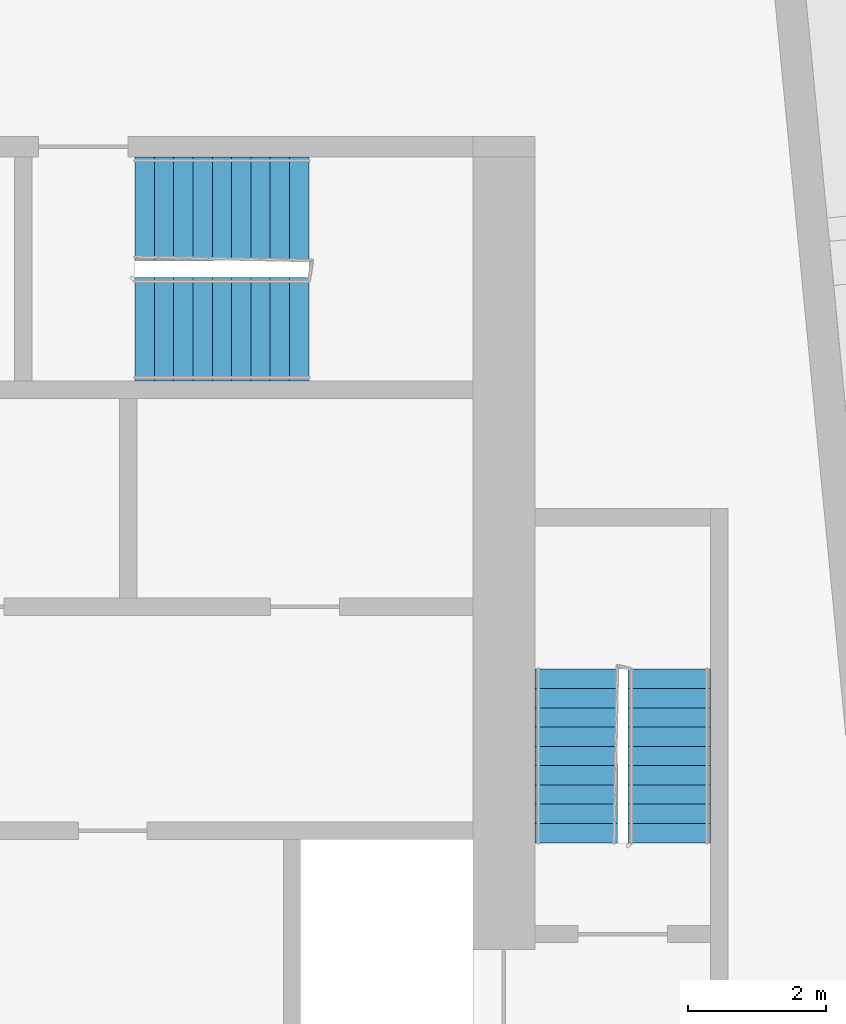
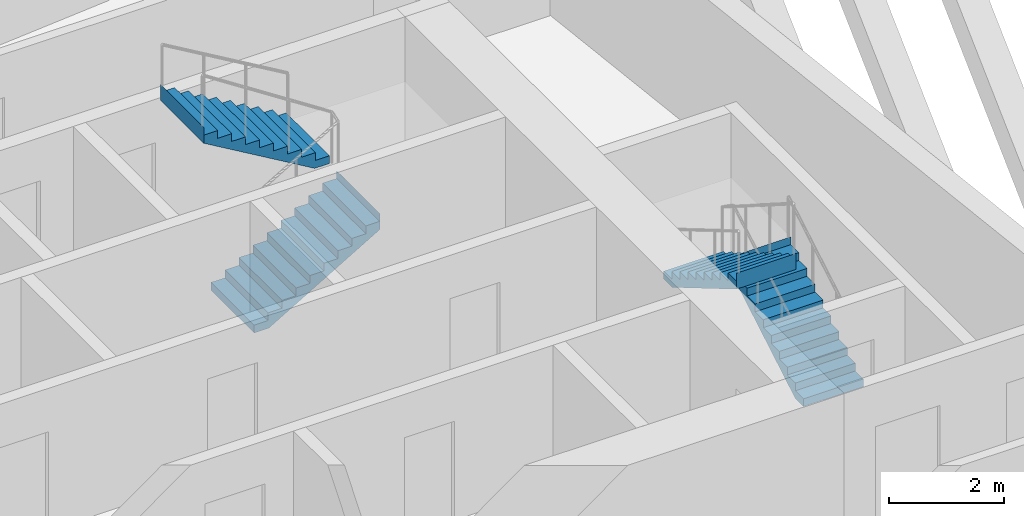
# One storey, part 10 of 12: 4 stair flights, 2 elements without a shape of their own.
"""IFC4 building model written with IfcOpenShell, lengths in metres."""

from ifc_helpers import new_model, si_unit, direction, frame, origin, place, context, subcontext, project, spatial, faceted_brep, material, type_object, element, aggregate, save


model = new_model("IFC4")

# Units and contexts
model_context = context("Model", 3, precision=1e-05, world=origin(), true_north=direction((0.0, 1.0)))
body_context = subcontext(model_context, "Body", "Model", "MODEL_VIEW")
ifc_project = project(units=[si_unit("LENGTHUNIT", "METRE"), si_unit("AREAUNIT", "SQUARE_METRE"), si_unit("VOLUMEUNIT", "CUBIC_METRE"), si_unit("PLANEANGLEUNIT", "RADIAN"), si_unit("MASSUNIT", "GRAM", prefix="KILO")], contexts=[model_context])

# Site, building, storey
site_placement = place(None, origin())
site = spatial("IfcSite", under=ifc_project, at=site_placement, CompositionType="ELEMENT")
building_placement = place(site_placement, origin())
building = spatial("IfcBuilding", under=site, at=building_placement, Name="Kajstack Hotel Tower", CompositionType="ELEMENT")
storey_placement = place(building_placement, frame((0.0, 0.0, 268.5)))
storey = spatial("IfcBuildingStorey", under=building, at=storey_placement, Name="L66", CompositionType="ELEMENT", Elevation=268.5)

# Stair, stair flights
ifc_material = material(Name="Concrete C40/50", Category="concrete")
stair_type_1 = type_object("IfcStairType", Name="Exit stair 1200", PredefinedType="HALF_TURN_STAIR", material=ifc_material)
stair_1_placement = place(storey_placement, origin())
stair_1 = element("IfcStair", 1, at=stair_1_placement, inside=storey, type_object=stair_type_1, Name="L66 stair E1", PredefinedType="HALF_TURN_STAIR")
stair_flight_type_1 = type_object("IfcStairFlightType", Name="Exit stair flight 1200", PredefinedType="STRAIGHT", material=ifc_material)
stair_flight_1_placement = place(storey_placement, frame((33.449951171875, 5.25, 0.0), z_axis=(0.0, 0.0, 1.0), x_axis=(0.0, 1.0, 0.0)))
stair_flight_1 = element("IfcStairFlight", 2, at=stair_flight_1_placement, type_object=stair_flight_type_1, Name="E1 flight 1", NumberOfRisers=10, NumberOfTreads=9, PredefinedType="STRAIGHT", RiserHeight=0.165, TreadLength=0.28, context=body_context, shape_type="Brep", body=[
    faceted_brep([(0.295654296875, -0.60009765625, 0.0), (2.5205078125, -0.60009765625, 1.31103515625), (2.5205078125, -0.60009765625, 1.64990234375), (2.52001953125, -0.60009765625, 1.64990234375), (2.52001953125, -0.60009765625, 1.485107421875), (2.239990234375, -0.60009765625, 1.485107421875), (2.239990234375, -0.60009765625, 1.320068359375), (1.9599609375, -0.60009765625, 1.320068359375), (1.9599609375, -0.60009765625, 1.155029296875), (1.679931640625, -0.60009765625, 1.155029296875), (1.679931640625, -0.60009765625, 0.989990234375), (1.39990234375, -0.60009765625, 0.989990234375), (1.39990234375, -0.60009765625, 0.824951171875), (1.1201171875, -0.60009765625, 0.824951171875), (1.1201171875, -0.60009765625, 0.659912109375), (0.840087890625, -0.60009765625, 0.659912109375), (0.840087890625, -0.60009765625, 0.4951171875), (0.56005859375, -0.60009765625, 0.4951171875), (0.56005859375, -0.60009765625, 0.330078125), (0.280029296875, -0.60009765625, 0.330078125), (0.280029296875, -0.60009765625, 0.1650390625), (-0.00048828125, -0.60009765625, 0.1650390625), (-0.00048828125, -0.60009765625, 0.0), (-0.00048828125, 0.60009765625, 0.0), (-0.00048828125, 0.60009765625, 0.1650390625), (0.280029296875, 0.60009765625, 0.1650390625), (0.280029296875, 0.60009765625, 0.330078125), (0.56005859375, 0.60009765625, 0.330078125), (0.56005859375, 0.60009765625, 0.4951171875), (0.840087890625, 0.60009765625, 0.4951171875), (0.840087890625, 0.60009765625, 0.659912109375), (1.1201171875, 0.60009765625, 0.659912109375), (1.1201171875, 0.60009765625, 0.824951171875), (1.39990234375, 0.60009765625, 0.824951171875), (1.39990234375, 0.60009765625, 0.989990234375), (1.679931640625, 0.60009765625, 0.989990234375), (1.679931640625, 0.60009765625, 1.155029296875), (1.9599609375, 0.60009765625, 1.155029296875), (1.9599609375, 0.60009765625, 1.320068359375), (2.239990234375, 0.60009765625, 1.320068359375), (2.239990234375, 0.60009765625, 1.485107421875), (2.52001953125, 0.60009765625, 1.485107421875), (2.52001953125, 0.60009765625, 1.64990234375), (2.5205078125, 0.60009765625, 1.64990234375), (2.5205078125, 0.60009765625, 1.31103515625), (0.295654296875, 0.60009765625, 0.0), (-0.00048828125, -0.300048828125, 0.1650390625), (-0.00048828125, 0.0, 0.1650390625), (-0.00048828125, 0.300048828125, 0.1650390625), (-0.00048828125, 0.300048828125, 0.0), (-0.00048828125, 0.0, 0.0), (-0.00048828125, -0.300048828125, 0.0), (0.280029296875, -0.300048828125, 0.1650390625), (0.280029296875, 0.0, 0.1650390625), (0.280029296875, 0.300048828125, 0.1650390625), (0.280029296875, -0.300048828125, 0.330078125), (0.280029296875, 0.0, 0.330078125), (0.280029296875, 0.300048828125, 0.330078125), (0.56005859375, -0.300048828125, 0.330078125), (0.56005859375, 0.0, 0.330078125), (0.56005859375, 0.300048828125, 0.330078125), (0.56005859375, -0.300048828125, 0.4951171875), (0.56005859375, 0.0, 0.4951171875), (0.56005859375, 0.300048828125, 0.4951171875), (0.840087890625, -0.300048828125, 0.4951171875), (0.840087890625, 0.0, 0.4951171875), (0.840087890625, 0.300048828125, 0.4951171875), (0.840087890625, -0.300048828125, 0.659912109375), (0.840087890625, 0.0, 0.659912109375), (0.840087890625, 0.300048828125, 0.659912109375), (1.1201171875, -0.300048828125, 0.659912109375), (1.1201171875, 0.0, 0.659912109375), (1.1201171875, 0.300048828125, 0.659912109375), (1.1201171875, -0.300048828125, 0.824951171875), (1.1201171875, 0.0, 0.824951171875), (1.1201171875, 0.300048828125, 0.824951171875), (1.39990234375, -0.300048828125, 0.824951171875), (1.39990234375, 0.0, 0.824951171875), (1.39990234375, 0.300048828125, 0.824951171875), (1.39990234375, -0.300048828125, 0.989990234375), (1.39990234375, 0.0, 0.989990234375), (1.39990234375, 0.300048828125, 0.989990234375), (1.679931640625, -0.300048828125, 0.989990234375), (1.679931640625, 0.0, 0.989990234375), (1.679931640625, 0.300048828125, 0.989990234375), (1.679931640625, -0.300048828125, 1.155029296875), (1.679931640625, 0.0, 1.155029296875), (1.679931640625, 0.300048828125, 1.155029296875), (1.9599609375, -0.300048828125, 1.155029296875), (1.9599609375, 0.0, 1.155029296875), (1.9599609375, 0.300048828125, 1.155029296875), (1.9599609375, -0.300048828125, 1.320068359375), (1.9599609375, 0.0, 1.320068359375), (1.9599609375, 0.300048828125, 1.320068359375), (2.239990234375, -0.300048828125, 1.320068359375), (2.239990234375, 0.0, 1.320068359375), (2.239990234375, 0.300048828125, 1.320068359375), (2.239990234375, -0.300048828125, 1.485107421875), (2.239990234375, 0.0, 1.485107421875), (2.239990234375, 0.300048828125, 1.485107421875), (2.52001953125, -0.300048828125, 1.485107421875), (2.52001953125, 0.0, 1.485107421875), (2.52001953125, 0.300048828125, 1.485107421875), (2.52001953125, -0.300048828125, 1.64990234375), (2.52001953125, 0.0, 1.64990234375), (2.52001953125, 0.300048828125, 1.64990234375), (2.5205078125, -0.300048828125, 1.64990234375), (2.5205078125, 0.0, 1.64990234375), (2.5205078125, 0.300048828125, 1.64990234375), (2.5205078125, -0.300048828125, 1.31103515625), (2.5205078125, 0.0, 1.31103515625), (2.5205078125, 0.300048828125, 1.31103515625), (0.295654296875, -0.300048828125, 0.0), (0.295654296875, 0.0, 0.0), (0.295654296875, 0.300048828125, 0.0)], [[[0, 1, 2, 3, 4, 5, 6, 7, 8, 9, 10, 11, 12, 13, 14, 15, 16, 17, 18, 19, 20, 21, 22]], [[23, 24, 25, 26, 27, 28, 29, 30, 31, 32, 33, 34, 35, 36, 37, 38, 39, 40, 41, 42, 43, 44, 45]], [[21, 46, 47, 48, 24, 23, 49, 50, 51, 22]], [[20, 52, 53, 54, 25, 24, 48, 47, 46, 21]], [[19, 55, 56, 57, 26, 25, 54, 53, 52, 20]], [[18, 58, 59, 60, 27, 26, 57, 56, 55, 19]], [[17, 61, 62, 63, 28, 27, 60, 59, 58, 18]], [[16, 64, 65, 66, 29, 28, 63, 62, 61, 17]], [[15, 67, 68, 69, 30, 29, 66, 65, 64, 16]], [[14, 70, 71, 72, 31, 30, 69, 68, 67, 15]], [[13, 73, 74, 75, 32, 31, 72, 71, 70, 14]], [[12, 76, 77, 78, 33, 32, 75, 74, 73, 13]], [[11, 79, 80, 81, 34, 33, 78, 77, 76, 12]], [[10, 82, 83, 84, 35, 34, 81, 80, 79, 11]], [[9, 85, 86, 87, 36, 35, 84, 83, 82, 10]], [[8, 88, 89, 90, 37, 36, 87, 86, 85, 9]], [[7, 91, 92, 93, 38, 37, 90, 89, 88, 8]], [[6, 94, 95, 96, 39, 38, 93, 92, 91, 7]], [[5, 97, 98, 99, 40, 39, 96, 95, 94, 6]], [[4, 100, 101, 102, 41, 40, 99, 98, 97, 5]], [[3, 103, 104, 105, 42, 41, 102, 101, 100, 4]], [[2, 106, 107, 108, 43, 42, 105, 104, 103, 3]], [[1, 109, 110, 111, 44, 43, 108, 107, 106, 2]], [[0, 112, 113, 114, 45, 44, 111, 110, 109, 1]], [[22, 51, 50, 49, 23, 45, 114, 113, 112, 0]]]),
])
stair_flight_2_placement = place(storey_placement, frame((32.10009765625, 7.77001953125, 1.64990234375), z_axis=(0.0, 0.0, 1.0), x_axis=(0.0, -1.0, 0.0)))
stair_flight_2 = element("IfcStairFlight", 3, at=stair_flight_2_placement, type_object=stair_flight_type_1, Name="E1 flight 2", NumberOfRisers=10, NumberOfTreads=9, PredefinedType="STRAIGHT", RiserHeight=0.165, TreadLength=0.28, context=body_context, shape_type="Brep", body=[
    faceted_brep([(0.295654296875, -0.60009765625, 0.0), (2.5205078125, -0.60009765625, 1.31103515625), (2.5205078125, -0.60009765625, 1.64990234375), (2.52001953125, -0.60009765625, 1.64990234375), (2.52001953125, -0.60009765625, 1.485107421875), (2.239990234375, -0.60009765625, 1.485107421875), (2.239990234375, -0.60009765625, 1.320068359375), (1.9599609375, -0.60009765625, 1.320068359375), (1.9599609375, -0.60009765625, 1.155029296875), (1.679931640625, -0.60009765625, 1.155029296875), (1.679931640625, -0.60009765625, 0.989990234375), (1.39990234375, -0.60009765625, 0.989990234375), (1.39990234375, -0.60009765625, 0.824951171875), (1.1201171875, -0.60009765625, 0.824951171875), (1.1201171875, -0.60009765625, 0.659912109375), (0.840087890625, -0.60009765625, 0.659912109375), (0.840087890625, -0.60009765625, 0.4951171875), (0.56005859375, -0.60009765625, 0.4951171875), (0.56005859375, -0.60009765625, 0.330078125), (0.280029296875, -0.60009765625, 0.330078125), (0.280029296875, -0.60009765625, 0.1650390625), (-0.00048828125, -0.60009765625, 0.1650390625), (-0.00048828125, -0.60009765625, 0.0), (-0.00048828125, 0.60009765625, 0.0), (-0.00048828125, 0.60009765625, 0.1650390625), (0.280029296875, 0.60009765625, 0.1650390625), (0.280029296875, 0.60009765625, 0.330078125), (0.56005859375, 0.60009765625, 0.330078125), (0.56005859375, 0.60009765625, 0.4951171875), (0.840087890625, 0.60009765625, 0.4951171875), (0.840087890625, 0.60009765625, 0.659912109375), (1.1201171875, 0.60009765625, 0.659912109375), (1.1201171875, 0.60009765625, 0.824951171875), (1.39990234375, 0.60009765625, 0.824951171875), (1.39990234375, 0.60009765625, 0.989990234375), (1.679931640625, 0.60009765625, 0.989990234375), (1.679931640625, 0.60009765625, 1.155029296875), (1.9599609375, 0.60009765625, 1.155029296875), (1.9599609375, 0.60009765625, 1.320068359375), (2.239990234375, 0.60009765625, 1.320068359375), (2.239990234375, 0.60009765625, 1.485107421875), (2.52001953125, 0.60009765625, 1.485107421875), (2.52001953125, 0.60009765625, 1.64990234375), (2.5205078125, 0.60009765625, 1.64990234375), (2.5205078125, 0.60009765625, 1.31103515625), (0.295654296875, 0.60009765625, 0.0), (-0.00048828125, -0.300048828125, 0.1650390625), (-0.00048828125, 0.0, 0.1650390625), (-0.00048828125, 0.300048828125, 0.1650390625), (-0.00048828125, 0.300048828125, 0.0), (-0.00048828125, 0.0, 0.0), (-0.00048828125, -0.300048828125, 0.0), (0.280029296875, -0.300048828125, 0.1650390625), (0.280029296875, 0.0, 0.1650390625), (0.280029296875, 0.300048828125, 0.1650390625), (0.280029296875, -0.300048828125, 0.330078125), (0.280029296875, 0.0, 0.330078125), (0.280029296875, 0.300048828125, 0.330078125), (0.56005859375, -0.300048828125, 0.330078125), (0.56005859375, 0.0, 0.330078125), (0.56005859375, 0.300048828125, 0.330078125), (0.56005859375, -0.300048828125, 0.4951171875), (0.56005859375, 0.0, 0.4951171875), (0.56005859375, 0.300048828125, 0.4951171875), (0.840087890625, -0.300048828125, 0.4951171875), (0.840087890625, 0.0, 0.4951171875), (0.840087890625, 0.300048828125, 0.4951171875), (0.840087890625, -0.300048828125, 0.659912109375), (0.840087890625, 0.0, 0.659912109375), (0.840087890625, 0.300048828125, 0.659912109375), (1.1201171875, -0.300048828125, 0.659912109375), (1.1201171875, 0.0, 0.659912109375), (1.1201171875, 0.300048828125, 0.659912109375), (1.1201171875, -0.300048828125, 0.824951171875), (1.1201171875, 0.0, 0.824951171875), (1.1201171875, 0.300048828125, 0.824951171875), (1.39990234375, -0.300048828125, 0.824951171875), (1.39990234375, 0.0, 0.824951171875), (1.39990234375, 0.300048828125, 0.824951171875), (1.39990234375, -0.300048828125, 0.989990234375), (1.39990234375, 0.0, 0.989990234375), (1.39990234375, 0.300048828125, 0.989990234375), (1.679931640625, -0.300048828125, 0.989990234375), (1.679931640625, 0.0, 0.989990234375), (1.679931640625, 0.300048828125, 0.989990234375), (1.679931640625, -0.300048828125, 1.155029296875), (1.679931640625, 0.0, 1.155029296875), (1.679931640625, 0.300048828125, 1.155029296875), (1.9599609375, -0.300048828125, 1.155029296875), (1.9599609375, 0.0, 1.155029296875), (1.9599609375, 0.300048828125, 1.155029296875), (1.9599609375, -0.300048828125, 1.320068359375), (1.9599609375, 0.0, 1.320068359375), (1.9599609375, 0.300048828125, 1.320068359375), (2.239990234375, -0.300048828125, 1.320068359375), (2.239990234375, 0.0, 1.320068359375), (2.239990234375, 0.300048828125, 1.320068359375), (2.239990234375, -0.300048828125, 1.485107421875), (2.239990234375, 0.0, 1.485107421875), (2.239990234375, 0.300048828125, 1.485107421875), (2.52001953125, -0.300048828125, 1.485107421875), (2.52001953125, 0.0, 1.485107421875), (2.52001953125, 0.300048828125, 1.485107421875), (2.52001953125, -0.300048828125, 1.64990234375), (2.52001953125, 0.0, 1.64990234375), (2.52001953125, 0.300048828125, 1.64990234375), (2.5205078125, -0.300048828125, 1.64990234375), (2.5205078125, 0.0, 1.64990234375), (2.5205078125, 0.300048828125, 1.64990234375), (2.5205078125, -0.300048828125, 1.31103515625), (2.5205078125, 0.0, 1.31103515625), (2.5205078125, 0.300048828125, 1.31103515625), (0.295654296875, -0.300048828125, 0.0), (0.295654296875, 0.0, 0.0), (0.295654296875, 0.300048828125, 0.0)], [[[0, 1, 2, 3, 4, 5, 6, 7, 8, 9, 10, 11, 12, 13, 14, 15, 16, 17, 18, 19, 20, 21, 22]], [[23, 24, 25, 26, 27, 28, 29, 30, 31, 32, 33, 34, 35, 36, 37, 38, 39, 40, 41, 42, 43, 44, 45]], [[21, 46, 47, 48, 24, 23, 49, 50, 51, 22]], [[20, 52, 53, 54, 25, 24, 48, 47, 46, 21]], [[19, 55, 56, 57, 26, 25, 54, 53, 52, 20]], [[18, 58, 59, 60, 27, 26, 57, 56, 55, 19]], [[17, 61, 62, 63, 28, 27, 60, 59, 58, 18]], [[16, 64, 65, 66, 29, 28, 63, 62, 61, 17]], [[15, 67, 68, 69, 30, 29, 66, 65, 64, 16]], [[14, 70, 71, 72, 31, 30, 69, 68, 67, 15]], [[13, 73, 74, 75, 32, 31, 72, 71, 70, 14]], [[12, 76, 77, 78, 33, 32, 75, 74, 73, 13]], [[11, 79, 80, 81, 34, 33, 78, 77, 76, 12]], [[10, 82, 83, 84, 35, 34, 81, 80, 79, 11]], [[9, 85, 86, 87, 36, 35, 84, 83, 82, 10]], [[8, 88, 89, 90, 37, 36, 87, 86, 85, 9]], [[7, 91, 92, 93, 38, 37, 90, 89, 88, 8]], [[6, 94, 95, 96, 39, 38, 93, 92, 91, 7]], [[5, 97, 98, 99, 40, 39, 96, 95, 94, 6]], [[4, 100, 101, 102, 41, 40, 99, 98, 97, 5]], [[3, 103, 104, 105, 42, 41, 102, 101, 100, 4]], [[2, 106, 107, 108, 43, 42, 105, 104, 103, 3]], [[1, 109, 110, 111, 44, 43, 108, 107, 106, 2]], [[0, 112, 113, 114, 45, 44, 111, 110, 109, 1]], [[22, 51, 50, 49, 23, 45, 114, 113, 112, 0]]]),
])
aggregate(stair_1, [stair_flight_1, stair_flight_2])

stair_type_2 = type_object("IfcStairType", Name="Exit stair 1500", PredefinedType="HALF_TURN_STAIR", material=ifc_material)
stair_2_placement = place(storey_placement, origin())
stair_2 = element("IfcStair", 4, at=stair_2_placement, inside=storey, type_object=stair_type_2, Name="L66 stair E3", PredefinedType="HALF_TURN_STAIR")
stair_flight_type_2 = type_object("IfcStairFlightType", Name="Exit stair flight 1500", PredefinedType="STRAIGHT", material=ifc_material)
stair_flight_3_placement = place(storey_placement, frame((25.699951171875, 12.699951171875, 0.0), z_axis=(0.0, 0.0, 1.0), x_axis=(1.0, 0.0, 0.0)))
stair_flight_3 = element("IfcStairFlight", 5, at=stair_flight_3_placement, type_object=stair_flight_type_2, Name="E3 flight 1", NumberOfRisers=10, NumberOfTreads=9, PredefinedType="STRAIGHT", RiserHeight=0.165, TreadLength=0.28, context=body_context, shape_type="Brep", body=[
    faceted_brep([(0.295654296875, -0.75, 0.0), (2.5205078125, -0.75, 1.31103515625), (2.5205078125, -0.75, 1.64990234375), (2.52001953125, -0.75, 1.64990234375), (2.52001953125, -0.75, 1.485107421875), (2.239990234375, -0.75, 1.485107421875), (2.239990234375, -0.75, 1.320068359375), (1.9599609375, -0.75, 1.320068359375), (1.9599609375, -0.75, 1.155029296875), (1.679931640625, -0.75, 1.155029296875), (1.679931640625, -0.75, 0.989990234375), (1.39990234375, -0.75, 0.989990234375), (1.39990234375, -0.75, 0.824951171875), (1.1201171875, -0.75, 0.824951171875), (1.1201171875, -0.75, 0.659912109375), (0.840087890625, -0.75, 0.659912109375), (0.840087890625, -0.75, 0.4951171875), (0.56005859375, -0.75, 0.4951171875), (0.56005859375, -0.75, 0.330078125), (0.280029296875, -0.75, 0.330078125), (0.280029296875, -0.75, 0.1650390625), (-0.00048828125, -0.75, 0.1650390625), (-0.00048828125, -0.75, 0.0), (-0.00048828125, 0.75, 0.0), (-0.00048828125, 0.75, 0.1650390625), (0.280029296875, 0.75, 0.1650390625), (0.280029296875, 0.75, 0.330078125), (0.56005859375, 0.75, 0.330078125), (0.56005859375, 0.75, 0.4951171875), (0.840087890625, 0.75, 0.4951171875), (0.840087890625, 0.75, 0.659912109375), (1.1201171875, 0.75, 0.659912109375), (1.1201171875, 0.75, 0.824951171875), (1.39990234375, 0.75, 0.824951171875), (1.39990234375, 0.75, 0.989990234375), (1.679931640625, 0.75, 0.989990234375), (1.679931640625, 0.75, 1.155029296875), (1.9599609375, 0.75, 1.155029296875), (1.9599609375, 0.75, 1.320068359375), (2.239990234375, 0.75, 1.320068359375), (2.239990234375, 0.75, 1.485107421875), (2.52001953125, 0.75, 1.485107421875), (2.52001953125, 0.75, 1.64990234375), (2.5205078125, 0.75, 1.64990234375), (2.5205078125, 0.75, 1.31103515625), (0.295654296875, 0.75, 0.0), (-0.00048828125, -0.375, 0.1650390625), (-0.00048828125, 0.0, 0.1650390625), (-0.00048828125, 0.375, 0.1650390625), (-0.00048828125, 0.375, 0.0), (-0.00048828125, 0.0, 0.0), (-0.00048828125, -0.375, 0.0), (0.280029296875, -0.375, 0.1650390625), (0.280029296875, 0.0, 0.1650390625), (0.280029296875, 0.375, 0.1650390625), (0.280029296875, -0.375, 0.330078125), (0.280029296875, 0.0, 0.330078125), (0.280029296875, 0.375, 0.330078125), (0.56005859375, -0.375, 0.330078125), (0.56005859375, 0.0, 0.330078125), (0.56005859375, 0.375, 0.330078125), (0.56005859375, -0.375, 0.4951171875), (0.56005859375, 0.0, 0.4951171875), (0.56005859375, 0.375, 0.4951171875), (0.840087890625, -0.375, 0.4951171875), (0.840087890625, 0.0, 0.4951171875), (0.840087890625, 0.375, 0.4951171875), (0.840087890625, -0.375, 0.659912109375), (0.840087890625, 0.0, 0.659912109375), (0.840087890625, 0.375, 0.659912109375), (1.1201171875, -0.375, 0.659912109375), (1.1201171875, 0.0, 0.659912109375), (1.1201171875, 0.375, 0.659912109375), (1.1201171875, -0.375, 0.824951171875), (1.1201171875, 0.0, 0.824951171875), (1.1201171875, 0.375, 0.824951171875), (1.39990234375, -0.375, 0.824951171875), (1.39990234375, 0.0, 0.824951171875), (1.39990234375, 0.375, 0.824951171875), (1.39990234375, -0.375, 0.989990234375), (1.39990234375, 0.0, 0.989990234375), (1.39990234375, 0.375, 0.989990234375), (1.679931640625, -0.375, 0.989990234375), (1.679931640625, 0.0, 0.989990234375), (1.679931640625, 0.375, 0.989990234375), (1.679931640625, -0.375, 1.155029296875), (1.679931640625, 0.0, 1.155029296875), (1.679931640625, 0.375, 1.155029296875), (1.9599609375, -0.375, 1.155029296875), (1.9599609375, 0.0, 1.155029296875), (1.9599609375, 0.375, 1.155029296875), (1.9599609375, -0.375, 1.320068359375), (1.9599609375, 0.0, 1.320068359375), (1.9599609375, 0.375, 1.320068359375), (2.239990234375, -0.375, 1.320068359375), (2.239990234375, 0.0, 1.320068359375), (2.239990234375, 0.375, 1.320068359375), (2.239990234375, -0.375, 1.485107421875), (2.239990234375, 0.0, 1.485107421875), (2.239990234375, 0.375, 1.485107421875), (2.52001953125, -0.375, 1.485107421875), (2.52001953125, 0.0, 1.485107421875), (2.52001953125, 0.375, 1.485107421875), (2.52001953125, -0.375, 1.64990234375), (2.52001953125, 0.0, 1.64990234375), (2.52001953125, 0.375, 1.64990234375), (2.5205078125, -0.375, 1.64990234375), (2.5205078125, 0.0, 1.64990234375), (2.5205078125, 0.375, 1.64990234375), (2.5205078125, -0.375, 1.31103515625), (2.5205078125, 0.0, 1.31103515625), (2.5205078125, 0.375, 1.31103515625), (0.295654296875, -0.375, 0.0), (0.295654296875, 0.0, 0.0), (0.295654296875, 0.375, 0.0)], [[[0, 1, 2, 3, 4, 5, 6, 7, 8, 9, 10, 11, 12, 13, 14, 15, 16, 17, 18, 19, 20, 21, 22]], [[23, 24, 25, 26, 27, 28, 29, 30, 31, 32, 33, 34, 35, 36, 37, 38, 39, 40, 41, 42, 43, 44, 45]], [[21, 46, 47, 48, 24, 23, 49, 50, 51, 22]], [[20, 52, 53, 54, 25, 24, 48, 47, 46, 21]], [[19, 55, 56, 57, 26, 25, 54, 53, 52, 20]], [[18, 58, 59, 60, 27, 26, 57, 56, 55, 19]], [[17, 61, 62, 63, 28, 27, 60, 59, 58, 18]], [[16, 64, 65, 66, 29, 28, 63, 62, 61, 17]], [[15, 67, 68, 69, 30, 29, 66, 65, 64, 16]], [[14, 70, 71, 72, 31, 30, 69, 68, 67, 15]], [[13, 73, 74, 75, 32, 31, 72, 71, 70, 14]], [[12, 76, 77, 78, 33, 32, 75, 74, 73, 13]], [[11, 79, 80, 81, 34, 33, 78, 77, 76, 12]], [[10, 82, 83, 84, 35, 34, 81, 80, 79, 11]], [[9, 85, 86, 87, 36, 35, 84, 83, 82, 10]], [[8, 88, 89, 90, 37, 36, 87, 86, 85, 9]], [[7, 91, 92, 93, 38, 37, 90, 89, 88, 8]], [[6, 94, 95, 96, 39, 38, 93, 92, 91, 7]], [[5, 97, 98, 99, 40, 39, 96, 95, 94, 6]], [[4, 100, 101, 102, 41, 40, 99, 98, 97, 5]], [[3, 103, 104, 105, 42, 41, 102, 101, 100, 4]], [[2, 106, 107, 108, 43, 42, 105, 104, 103, 3]], [[1, 109, 110, 111, 44, 43, 108, 107, 106, 2]], [[0, 112, 113, 114, 45, 44, 111, 110, 109, 1]], [[22, 51, 50, 49, 23, 45, 114, 113, 112, 0]]]),
])
stair_flight_4_placement = place(storey_placement, frame((28.219970703125, 14.449951171875, 1.64990234375), z_axis=(0.0, 0.0, 1.0), x_axis=(-1.0, 0.0, 0.0)))
stair_flight_4 = element("IfcStairFlight", 6, at=stair_flight_4_placement, type_object=stair_flight_type_2, Name="E3 flight 2", NumberOfRisers=10, NumberOfTreads=9, PredefinedType="STRAIGHT", RiserHeight=0.165, TreadLength=0.28, context=body_context, shape_type="Brep", body=[
    faceted_brep([(0.295654296875, -0.75, 0.0), (2.5205078125, -0.75, 1.31103515625), (2.5205078125, -0.75, 1.64990234375), (2.52001953125, -0.75, 1.64990234375), (2.52001953125, -0.75, 1.485107421875), (2.239990234375, -0.75, 1.485107421875), (2.239990234375, -0.75, 1.320068359375), (1.9599609375, -0.75, 1.320068359375), (1.9599609375, -0.75, 1.155029296875), (1.679931640625, -0.75, 1.155029296875), (1.679931640625, -0.75, 0.989990234375), (1.39990234375, -0.75, 0.989990234375), (1.39990234375, -0.75, 0.824951171875), (1.1201171875, -0.75, 0.824951171875), (1.1201171875, -0.75, 0.659912109375), (0.840087890625, -0.75, 0.659912109375), (0.840087890625, -0.75, 0.4951171875), (0.56005859375, -0.75, 0.4951171875), (0.56005859375, -0.75, 0.330078125), (0.280029296875, -0.75, 0.330078125), (0.280029296875, -0.75, 0.1650390625), (-0.00048828125, -0.75, 0.1650390625), (-0.00048828125, -0.75, 0.0), (-0.00048828125, 0.75, 0.0), (-0.00048828125, 0.75, 0.1650390625), (0.280029296875, 0.75, 0.1650390625), (0.280029296875, 0.75, 0.330078125), (0.56005859375, 0.75, 0.330078125), (0.56005859375, 0.75, 0.4951171875), (0.840087890625, 0.75, 0.4951171875), (0.840087890625, 0.75, 0.659912109375), (1.1201171875, 0.75, 0.659912109375), (1.1201171875, 0.75, 0.824951171875), (1.39990234375, 0.75, 0.824951171875), (1.39990234375, 0.75, 0.989990234375), (1.679931640625, 0.75, 0.989990234375), (1.679931640625, 0.75, 1.155029296875), (1.9599609375, 0.75, 1.155029296875), (1.9599609375, 0.75, 1.320068359375), (2.239990234375, 0.75, 1.320068359375), (2.239990234375, 0.75, 1.485107421875), (2.52001953125, 0.75, 1.485107421875), (2.52001953125, 0.75, 1.64990234375), (2.5205078125, 0.75, 1.64990234375), (2.5205078125, 0.75, 1.31103515625), (0.295654296875, 0.75, 0.0), (-0.00048828125, -0.375, 0.1650390625), (-0.00048828125, 0.0, 0.1650390625), (-0.00048828125, 0.375, 0.1650390625), (-0.00048828125, 0.375, 0.0), (-0.00048828125, 0.0, 0.0), (-0.00048828125, -0.375, 0.0), (0.280029296875, -0.375, 0.1650390625), (0.280029296875, 0.0, 0.1650390625), (0.280029296875, 0.375, 0.1650390625), (0.280029296875, -0.375, 0.330078125), (0.280029296875, 0.0, 0.330078125), (0.280029296875, 0.375, 0.330078125), (0.56005859375, -0.375, 0.330078125), (0.56005859375, 0.0, 0.330078125), (0.56005859375, 0.375, 0.330078125), (0.56005859375, -0.375, 0.4951171875), (0.56005859375, 0.0, 0.4951171875), (0.56005859375, 0.375, 0.4951171875), (0.840087890625, -0.375, 0.4951171875), (0.840087890625, 0.0, 0.4951171875), (0.840087890625, 0.375, 0.4951171875), (0.840087890625, -0.375, 0.659912109375), (0.840087890625, 0.0, 0.659912109375), (0.840087890625, 0.375, 0.659912109375), (1.1201171875, -0.375, 0.659912109375), (1.1201171875, 0.0, 0.659912109375), (1.1201171875, 0.375, 0.659912109375), (1.1201171875, -0.375, 0.824951171875), (1.1201171875, 0.0, 0.824951171875), (1.1201171875, 0.375, 0.824951171875), (1.39990234375, -0.375, 0.824951171875), (1.39990234375, 0.0, 0.824951171875), (1.39990234375, 0.375, 0.824951171875), (1.39990234375, -0.375, 0.989990234375), (1.39990234375, 0.0, 0.989990234375), (1.39990234375, 0.375, 0.989990234375), (1.679931640625, -0.375, 0.989990234375), (1.679931640625, 0.0, 0.989990234375), (1.679931640625, 0.375, 0.989990234375), (1.679931640625, -0.375, 1.155029296875), (1.679931640625, 0.0, 1.155029296875), (1.679931640625, 0.375, 1.155029296875), (1.9599609375, -0.375, 1.155029296875), (1.9599609375, 0.0, 1.155029296875), (1.9599609375, 0.375, 1.155029296875), (1.9599609375, -0.375, 1.320068359375), (1.9599609375, 0.0, 1.320068359375), (1.9599609375, 0.375, 1.320068359375), (2.239990234375, -0.375, 1.320068359375), (2.239990234375, 0.0, 1.320068359375), (2.239990234375, 0.375, 1.320068359375), (2.239990234375, -0.375, 1.485107421875), (2.239990234375, 0.0, 1.485107421875), (2.239990234375, 0.375, 1.485107421875), (2.52001953125, -0.375, 1.485107421875), (2.52001953125, 0.0, 1.485107421875), (2.52001953125, 0.375, 1.485107421875), (2.52001953125, -0.375, 1.64990234375), (2.52001953125, 0.0, 1.64990234375), (2.52001953125, 0.375, 1.64990234375), (2.5205078125, -0.375, 1.64990234375), (2.5205078125, 0.0, 1.64990234375), (2.5205078125, 0.375, 1.64990234375), (2.5205078125, -0.375, 1.31103515625), (2.5205078125, 0.0, 1.31103515625), (2.5205078125, 0.375, 1.31103515625), (0.295654296875, -0.375, 0.0), (0.295654296875, 0.0, 0.0), (0.295654296875, 0.375, 0.0)], [[[0, 1, 2, 3, 4, 5, 6, 7, 8, 9, 10, 11, 12, 13, 14, 15, 16, 17, 18, 19, 20, 21, 22]], [[23, 24, 25, 26, 27, 28, 29, 30, 31, 32, 33, 34, 35, 36, 37, 38, 39, 40, 41, 42, 43, 44, 45]], [[21, 46, 47, 48, 24, 23, 49, 50, 51, 22]], [[20, 52, 53, 54, 25, 24, 48, 47, 46, 21]], [[19, 55, 56, 57, 26, 25, 54, 53, 52, 20]], [[18, 58, 59, 60, 27, 26, 57, 56, 55, 19]], [[17, 61, 62, 63, 28, 27, 60, 59, 58, 18]], [[16, 64, 65, 66, 29, 28, 63, 62, 61, 17]], [[15, 67, 68, 69, 30, 29, 66, 65, 64, 16]], [[14, 70, 71, 72, 31, 30, 69, 68, 67, 15]], [[13, 73, 74, 75, 32, 31, 72, 71, 70, 14]], [[12, 76, 77, 78, 33, 32, 75, 74, 73, 13]], [[11, 79, 80, 81, 34, 33, 78, 77, 76, 12]], [[10, 82, 83, 84, 35, 34, 81, 80, 79, 11]], [[9, 85, 86, 87, 36, 35, 84, 83, 82, 10]], [[8, 88, 89, 90, 37, 36, 87, 86, 85, 9]], [[7, 91, 92, 93, 38, 37, 90, 89, 88, 8]], [[6, 94, 95, 96, 39, 38, 93, 92, 91, 7]], [[5, 97, 98, 99, 40, 39, 96, 95, 94, 6]], [[4, 100, 101, 102, 41, 40, 99, 98, 97, 5]], [[3, 103, 104, 105, 42, 41, 102, 101, 100, 4]], [[2, 106, 107, 108, 43, 42, 105, 104, 103, 3]], [[1, 109, 110, 111, 44, 43, 108, 107, 106, 2]], [[0, 112, 113, 114, 45, 44, 111, 110, 109, 1]], [[22, 51, 50, 49, 23, 45, 114, 113, 112, 0]]]),
])
aggregate(stair_2, [stair_flight_3, stair_flight_4])

save(model, "model.ifc")
